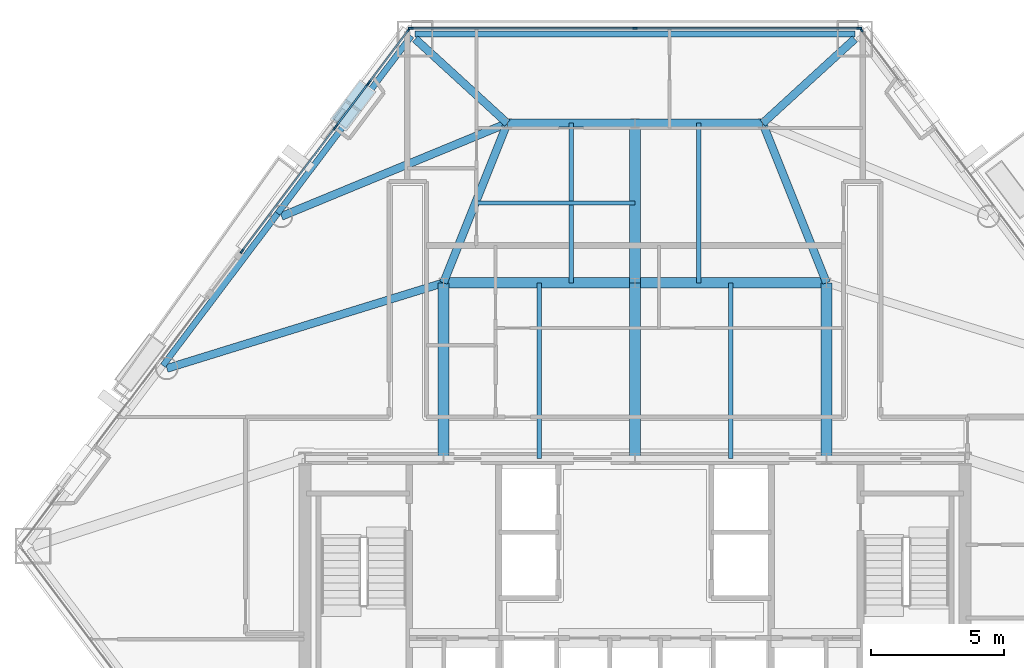
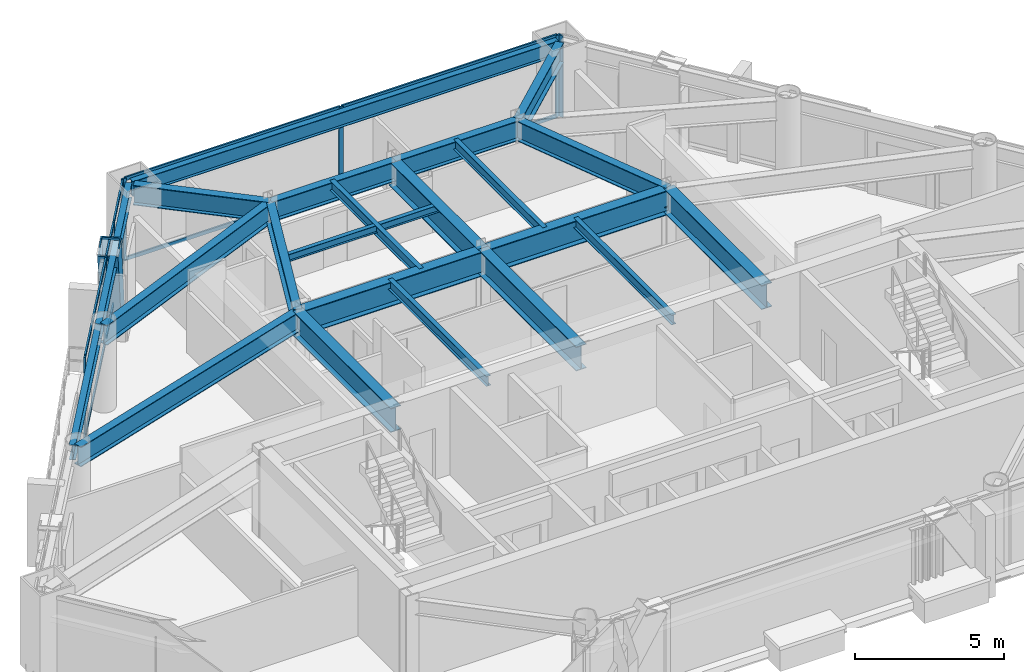
# One storey, part 3 of 11: 22 beams, 21 members, 5 elements without a shape of their own.
"""IFC4 building model written with IfcOpenShell, lengths in metres."""

from ifc_helpers import new_model, si_unit, direction, frame, origin, origin_2d, place, context, subcontext, project, spatial, rectangle, hollow_rectangle, i_section, extrude, material, layer, layer_set, material_profile, profile_set, type_object, element, aggregate, save


model = new_model("IFC4")

# Units and contexts
model_context = context("Model", 3, precision=1e-05, world=origin(), true_north=direction((0.0, 1.0)))
body_context = subcontext(model_context, "Body", "Model", "MODEL_VIEW")
ifc_project = project(units=[si_unit("LENGTHUNIT", "METRE"), si_unit("AREAUNIT", "SQUARE_METRE"), si_unit("VOLUMEUNIT", "CUBIC_METRE"), si_unit("PLANEANGLEUNIT", "RADIAN"), si_unit("MASSUNIT", "GRAM", prefix="KILO")], contexts=[model_context])

# Site, building, storey
site_placement = place(None, origin())
site = spatial("IfcSite", under=ifc_project, at=site_placement, CompositionType="ELEMENT")
building_placement = place(site_placement, origin())
building = spatial("IfcBuilding", under=site, at=building_placement, Name="Talgorran Terracotta Tower", CompositionType="ELEMENT")
storey_placement = place(building_placement, frame((0.0, 0.0, 27.89990234375)))
storey = spatial("IfcBuildingStorey", under=building, at=storey_placement, Name="L06", CompositionType="ELEMENT", Elevation=27.89990234375)

# Beams
ifc_material_1 = material(Name="Steel Grade 350 (350L0)", Category="steel")
ifc_material_profile_1 = material_profile(ifc_material_1, i_section(OverallWidth=0.39990234375, OverallDepth=1.0, WebThickness=0.01611328125, FlangeThickness=0.031005859375, at=origin_2d()), Name="1000WB296")
ifc_profile_set_1 = profile_set([ifc_material_profile_1], Name="Steel Grade 350 (350L0)")
beam_type_1 = type_object("IfcBeamType", Name="BM_1000WB296", PredefinedType="BEAM", material=ifc_profile_set_1)
for number, where, z_axis, x_axis, name in (
    (1, (-7.199951171875, -4.199951171875, 2.85009765625), (0.0, 1.0, 0.0), (-1.0, 0.0, 0.0), "L06 Floor Girder G01"),
    (2, (0.0, -4.199951171875, 2.85009765625), (0.0, 1.0, 0.0), (-1.0, 0.0, 0.0), "L06 Floor Girder G02"),
    (3, (7.199951171875, -4.199951171875, 2.85009765625), (0.0, 1.0, 0.0), (-1.0, 0.0, 0.0), "L06 Floor Girder G03"),
):
    element("IfcBeam", number, at=place(storey_placement, frame(where, z_axis=z_axis, x_axis=x_axis)), inside=storey, type_object=beam_type_1, Name=name, PredefinedType="BEAM", context=body_context, shape_type="SweptSolid", body=[
        extrude(i_section(OverallWidth=0.39990234375, OverallDepth=1.0, WebThickness=0.01611328125, FlangeThickness=0.031005859375, at=origin_2d()), origin(), (0.0, 0.0, 1.0), 6.599853515625),
    ])
for number, where, z_axis, x_axis, name in (
    (4, (-7.199951171875, 2.39990234375, 2.85009765625), (1.0, 0.0, 0.0), (0.0, 1.0, 0.0), "L06 Floor Girder G04"),
    (5, (0.0, 2.39990234375, 2.85009765625), (1.0, 0.0, 0.0), (0.0, 1.0, 0.0), "L06 Floor Girder G05"),
):
    element("IfcBeam", number, at=place(storey_placement, frame(where, z_axis=z_axis, x_axis=x_axis)), inside=storey, type_object=beam_type_1, Name=name, PredefinedType="BEAM", context=body_context, shape_type="SweptSolid", body=[
        extrude(i_section(OverallWidth=0.39990234375, OverallDepth=1.0, WebThickness=0.01611328125, FlangeThickness=0.031005859375, at=origin_2d()), origin(), (0.0, 0.0, 1.0), 7.199951171875),
    ])
beam_1_placement = place(storey_placement, frame((0.0, 2.39990234375, 2.85009765625), z_axis=(0.0, 1.0, 0.0), x_axis=(-1.0, 0.0, 0.0)))
element("IfcBeam", 6, at=beam_1_placement, inside=storey, type_object=beam_type_1, Name="L06 Floor Girder G09", PredefinedType="BEAM", context=body_context, shape_type="SweptSolid", body=[
    extrude(i_section(OverallWidth=0.39990234375, OverallDepth=1.0, WebThickness=0.01611328125, FlangeThickness=0.031005859375, at=origin_2d()), origin(), (0.0, 0.0, 1.0), 6.0),
])
ifc_material_2 = material(Name="Steel S355 (300PLUS)", Category="steel")
ifc_material_profile_2 = material_profile(ifc_material_2, i_section(OverallWidth=0.300048828125, OverallDepth=0.81591796875, WebThickness=0.013916015625, FlangeThickness=0.028076171875, at=origin_2d()), Name="800WB192")
ifc_profile_set_2 = profile_set([ifc_material_profile_2], Name="Steel S355 (300PLUS)")
beam_type_2 = type_object("IfcBeamType", Name="BM_800WB192", PredefinedType="BEAM", material=ifc_profile_set_2)
beam_2_placement = place(storey_placement, frame((-7.199951171875, 2.39990234375, 2.942138671875), z_axis=(-0.955282572472, -0.295694448259, 0.0), x_axis=(0.295694448259, -0.955282572472, 0.0)))
element("IfcBeam", 7, at=beam_2_placement, inside=storey, type_object=beam_type_2, Name="L06 Floor Girder G06", PredefinedType="BEAM", context=body_context, shape_type="SweptSolid", body=[
    extrude(i_section(OverallWidth=0.300048828125, OverallDepth=0.81591796875, WebThickness=0.013916015625, FlangeThickness=0.028076171875, at=origin_2d()), origin(), (0.0, 0.0, 1.0), 10.88623046875),
])
for number, where, z_axis, x_axis, name in (
    (8, (-7.199951171875, 2.39990234375, 2.942138671875), (0.371377648723, 0.928481901832, 0.0), (-0.928481901832, 0.371377648723, 0.0), "L06 Floor Girder G08"),
    (9, (7.199951171875, 2.39990234375, 2.942138671875), (-0.371377648723, 0.928481901832, 0.0), (-0.928481901832, -0.371377648723, 0.0), "L06 Floor Girder G10"),
):
    element("IfcBeam", number, at=place(storey_placement, frame(where, z_axis=z_axis, x_axis=x_axis)), inside=storey, type_object=beam_type_2, Name=name, PredefinedType="BEAM", context=body_context, shape_type="SweptSolid", body=[
        extrude(i_section(OverallWidth=0.300048828125, OverallDepth=0.81591796875, WebThickness=0.013916015625, FlangeThickness=0.028076171875, at=origin_2d()), origin(), (0.0, 0.0, 1.0), 6.462158203125),
    ])
for number, where, z_axis, x_axis, name in (
    (10, (-4.800048828125, 8.39990234375, 2.942138671875), (1.0, 0.0, 0.0), (0.0, 1.0, 0.0), "L06 Floor Girder G11"),
    (11, (0.0, 8.39990234375, 2.942138671875), (1.0, 0.0, 0.0), (0.0, 1.0, 0.0), "L06 Floor Girder G12"),
):
    element("IfcBeam", number, at=place(storey_placement, frame(where, z_axis=z_axis, x_axis=x_axis)), inside=storey, type_object=beam_type_2, Name=name, PredefinedType="BEAM", context=body_context, shape_type="SweptSolid", body=[
        extrude(i_section(OverallWidth=0.300048828125, OverallDepth=0.81591796875, WebThickness=0.013916015625, FlangeThickness=0.028076171875, at=origin_2d()), origin(), (0.0, 0.0, 1.0), 4.800048828125),
    ])
beam_3_placement = place(storey_placement, frame((-4.800048828125, 8.39990234375, 2.942138671875), z_axis=(-0.924495756371, -0.381192335249, 0.0), x_axis=(0.381192335249, -0.924495756371, 0.0)))
element("IfcBeam", 12, at=beam_3_placement, inside=storey, type_object=beam_type_2, Name="L06 Floor Girder G13", PredefinedType="BEAM", context=body_context, shape_type="SweptSolid", body=[
    extrude(i_section(OverallWidth=0.300048828125, OverallDepth=0.81591796875, WebThickness=0.013916015625, FlangeThickness=0.028076171875, at=origin_2d()), origin(), (0.0, 0.0, 1.0), 9.18359375),
])
for number, where, z_axis, x_axis, name in (
    (13, (-4.800048828125, 8.39990234375, 2.942138671875), (-0.737592142267, 0.675246496967, 0.0), (-0.675246496967, -0.737592142267, 0.0), "L06 Floor Girder G15"),
    (14, (4.800048828125, 8.39990234375, 2.942138671875), (0.737592142267, 0.675246496967, 0.0), (-0.675246496967, 0.737592142267, 0.0), "L06 Floor Girder G16"),
):
    element("IfcBeam", number, at=place(storey_placement, frame(where, z_axis=z_axis, x_axis=x_axis)), inside=storey, type_object=beam_type_2, Name=name, PredefinedType="BEAM", context=body_context, shape_type="SweptSolid", body=[
        extrude(i_section(OverallWidth=0.300048828125, OverallDepth=0.81591796875, WebThickness=0.013916015625, FlangeThickness=0.028076171875, at=origin_2d()), origin(), (0.0, 0.0, 1.0), 4.695068359375),
    ])
ifc_material_profile_3 = material_profile(ifc_material_2, i_section(OverallWidth=0.177734375, OverallDepth=0.406494140625, WebThickness=0.0078125, FlangeThickness=0.0126953125, at=origin_2d()), Name="410UB59.7")
ifc_profile_set_3 = profile_set([ifc_material_profile_3], Name="Steel S355 (300PLUS)")
beam_type_3 = type_object("IfcBeamType", Name="BM_JS_410UB60", PredefinedType="JOIST", material=ifc_profile_set_3)
for number, where, z_axis, x_axis, name in (
    (15, (-3.60009765625, -4.199951171875, 3.14697265625), (0.0, 1.0, 0.0), (-1.0, 0.0, 0.0), "L06 Secondary Joist J01"),
    (16, (3.60009765625, -4.199951171875, 3.14697265625), (0.0, 1.0, 0.0), (-1.0, 0.0, 0.0), "L06 Secondary Joist J02"),
):
    element("IfcBeam", number, at=place(storey_placement, frame(where, z_axis=z_axis, x_axis=x_axis)), inside=storey, type_object=beam_type_3, Name=name, PredefinedType="JOIST", context=body_context, shape_type="SweptSolid", body=[
        extrude(i_section(OverallWidth=0.177734375, OverallDepth=0.406494140625, WebThickness=0.0078125, FlangeThickness=0.0126953125, at=origin_2d()), origin(), (0.0, 0.0, 1.0), 6.599853515625),
    ])
for number, where, z_axis, x_axis, name in (
    (17, (-2.39990234375, 2.39990234375, 3.14697265625), (0.0, 1.0, 0.0), (-1.0, 0.0, 0.0), "L06 Secondary Joist J03"),
    (18, (2.39990234375, 2.39990234375, 3.14697265625), (0.0, 1.0, 0.0), (-1.0, 0.0, 0.0), "L06 Secondary Joist J04"),
):
    element("IfcBeam", number, at=place(storey_placement, frame(where, z_axis=z_axis, x_axis=x_axis)), inside=storey, type_object=beam_type_3, Name=name, PredefinedType="JOIST", context=body_context, shape_type="SweptSolid", body=[
        extrude(i_section(OverallWidth=0.177734375, OverallDepth=0.406494140625, WebThickness=0.0078125, FlangeThickness=0.0126953125, at=origin_2d()), origin(), (0.0, 0.0, 1.0), 6.0),
    ])
ifc_material_profile_4 = material_profile(ifc_material_2, i_section(OverallWidth=0.1650390625, OverallDepth=0.303955078125, WebThickness=0.006103515625, FlangeThickness=0.01025390625, at=origin_2d()), Name="310UB40.4")
ifc_profile_set_4 = profile_set([ifc_material_profile_4], Name="Steel S355 (300PLUS)")
beam_type_4 = type_object("IfcBeamType", Name="BM_OL_310UB40", PredefinedType="BEAM", material=ifc_profile_set_4)
beam_4_placement = place(storey_placement, frame((-6.0, 5.39990234375, 3.197998046875), z_axis=(1.0, 0.0, 0.0), x_axis=(0.0, 1.0, 0.0)))
element("IfcBeam", 19, at=beam_4_placement, inside=storey, type_object=beam_type_4, Name="L06 Balcony Back-Span Tie Beam OL1", PredefinedType="BEAM", context=body_context, shape_type="SweptSolid", body=[
    extrude(i_section(OverallWidth=0.1650390625, OverallDepth=0.303955078125, WebThickness=0.006103515625, FlangeThickness=0.01025390625, at=origin_2d()), origin(), (0.0, 0.0, 1.0), 6.0),
])
ifc_material_profile_5 = material_profile(ifc_material_2, i_section(OverallWidth=0.22900390625, OverallDepth=0.611572265625, WebThickness=0.011962890625, FlangeThickness=0.01953125, at=origin_2d()), Name="610UB125")
ifc_profile_set_5 = profile_set([ifc_material_profile_5], Name="Steel S355 (300PLUS)")
beam_type_5 = type_object("IfcBeamType", Name="BM_SP_610UB125", PredefinedType="SPANDREL", material=ifc_profile_set_5)
beam_5_placement = place(storey_placement, frame((8.26318359375, 11.75048828125, 3.044189453125), z_axis=(-1.0, 0.0, 0.0), x_axis=(0.0, -1.0, 0.0)))
element("IfcBeam", 20, at=beam_5_placement, inside=storey, type_object=beam_type_5, Name="L06 Perimeter Spandrel Beam MC5-MC6", PredefinedType="SPANDREL", context=body_context, shape_type="SweptSolid", body=[
    extrude(i_section(OverallWidth=0.22900390625, OverallDepth=0.611572265625, WebThickness=0.011962890625, FlangeThickness=0.01953125, at=origin_2d()), origin(), (0.0, 0.0, 1.0), 16.5263671875),
])
beam_6_placement = place(storey_placement, frame((-8.406982421875, 11.6787109375, 3.044189453125), z_axis=(-0.601803503312, -0.798644190739, 0.0), x_axis=(0.798644190739, -0.601803503312, 0.0)))
element("IfcBeam", 21, at=beam_6_placement, inside=storey, type_object=beam_type_5, Name="L06 Perimeter Spandrel Beam MC6-FC5", PredefinedType="SPANDREL", context=body_context, shape_type="SweptSolid", body=[
    extrude(i_section(OverallWidth=0.22900390625, OverallDepth=0.611572265625, WebThickness=0.011962890625, FlangeThickness=0.01953125, at=origin_2d()), origin(), (0.0, 0.0, 1.0), 8.353271484375),
])
beam_7_placement = place(storey_placement, frame((-13.43408203125, 5.00732421875, 3.044189453125), z_axis=(-0.601837001902, -0.798618947397, 0.0), x_axis=(0.798618947397, -0.601837001902, 0.0)))
element("IfcBeam", 22, at=beam_7_placement, inside=storey, type_object=beam_type_5, Name="L06 Perimeter Spandrel Beam FC5-FC6", PredefinedType="SPANDREL", context=body_context, shape_type="SweptSolid", body=[
    extrude(i_section(OverallWidth=0.22900390625, OverallDepth=0.611572265625, WebThickness=0.011962890625, FlangeThickness=0.01953125, at=origin_2d()), origin(), (0.0, 0.0, 1.0), 7.159912109375),
])

# Member
ifc_material_profile_6 = material_profile(ifc_material_1, hollow_rectangle(XDim=0.699951171875, YDim=0.89990234375, WallThickness=0.050048828125, at=origin_2d()), Name="WBOX900X700X50")
ifc_profile_set_6 = profile_set([ifc_material_profile_6], Name="Steel Grade 350 (350L0)")
member_type_1 = type_object("IfcMemberType", Name="MB_MEGA_900", PredefinedType="BRACE", material=ifc_profile_set_6)
member_1_placement = place(storey_placement, frame((-10.33056640625, 9.425048828125, -0.02490234375), z_axis=(-0.153970521354, -0.204299028109, 0.966723841471), x_axis=(0.79859763006, -0.601865288302, 0.0)))
element("IfcMember", 23, at=member_1_placement, inside=storey, type_object=member_type_1, Name="L06 Exterior Face Mega-Brace MB-1 (NWU)", PredefinedType="BRACE", context=body_context, shape_type="SweptSolid", body=[
    extrude(hollow_rectangle(XDim=0.699951171875, YDim=0.89990234375, WallThickness=0.050048828125, at=origin_2d()), origin(), (0.0, 0.0, 1.0), 3.516845703125),
])

# Curtain wall, member
ifc_material_3 = material(Name="Unitised Low-E Double Glazing", Category="glass")
ifc_layer = layer(ifc_material_3, 0.199951171875, Name="CW_SYS2_RES_LOW")
ifc_layer_set = layer_set([ifc_layer], Name="Unitised Low-E Double Glazing")
curtain_wall_type = type_object("IfcCurtainWallType", Name="CW_SYS2_RES_LOW", PredefinedType="NOTDEFINED", material=ifc_layer_set)
curtain_wall_1_placement = place(storey_placement, origin())
curtain_wall_1 = element("IfcCurtainWall", 24, at=curtain_wall_1_placement, inside=storey, type_object=curtain_wall_type, Name="CW-L06-F41C", PredefinedType="NOTDEFINED")
ifc_material_4 = material(Name="Architectural Aluminium 6063-T6", Category="aluminium")
ifc_material_profile_7 = material_profile(ifc_material_4, rectangle(XDim=0.06494140625, YDim=0.18505859375, at=origin_2d()), Name="CWM65X185")
ifc_profile_set_7 = profile_set([ifc_material_profile_7], Name="Architectural Aluminium 6063-T6")
member_type_2 = type_object("IfcMemberType", Name="MUL_65X185", PredefinedType="MULLION", material=ifc_profile_set_7)
member_2_placement = place(storey_placement, frame((8.50634765625, 11.91259765625, 0.0), z_axis=(0.0, 0.0, 1.0), x_axis=(-0.798644531105, -0.601803051618, 0.0)))
member_2 = element("IfcMember", 25, at=member_2_placement, type_object=member_type_2, Name="CW-L06-41C mullion 2", PredefinedType="MULLION", context=body_context, shape_type="SweptSolid", body=[
    extrude(rectangle(XDim=0.06494140625, YDim=0.18505859375, at=origin_2d()), origin(), (0.0, 0.0, 1.0), 3.35009765625),
])
aggregate(curtain_wall_1, [member_2])

# Curtain wall, members
curtain_wall_2_placement = place(storey_placement, origin())
curtain_wall_2 = element("IfcCurtainWall", 26, at=curtain_wall_2_placement, inside=storey, type_object=curtain_wall_type, Name="CW-L06-F4", PredefinedType="NOTDEFINED")
member_3_placement = place(storey_placement, frame((8.43017578125, 11.970458984375, 0.0), z_axis=(0.0, 0.0, 1.0), x_axis=(0.0, -1.0, 0.0)))
member_3 = element("IfcMember", 27, at=member_3_placement, type_object=member_type_2, Name="CW-L06-4 mullion 1", PredefinedType="MULLION", context=body_context, shape_type="SweptSolid", body=[
    extrude(rectangle(XDim=0.06494140625, YDim=0.18505859375, at=origin_2d()), origin(), (0.0, 0.0, 1.0), 3.35009765625),
])
member_4_placement = place(storey_placement, frame((0.0, 11.970458984375, 0.0), z_axis=(0.0, 0.0, 1.0), x_axis=(0.0, -1.0, 0.0)))
member_4 = element("IfcMember", 28, at=member_4_placement, type_object=member_type_2, Name="CW-L06-4 mullion 2", PredefinedType="MULLION", context=body_context, shape_type="SweptSolid", body=[
    extrude(rectangle(XDim=0.06494140625, YDim=0.18505859375, at=origin_2d()), origin(), (0.0, 0.0, 1.0), 3.35009765625),
])
member_5_placement = place(storey_placement, frame((-8.43017578125, 11.970458984375, 0.0), z_axis=(0.0, 0.0, 1.0), x_axis=(0.0, -1.0, 0.0)))
member_5 = element("IfcMember", 29, at=member_5_placement, type_object=member_type_2, Name="CW-L06-4 mullion 3", PredefinedType="MULLION", context=body_context, shape_type="SweptSolid", body=[
    extrude(rectangle(XDim=0.06494140625, YDim=0.18505859375, at=origin_2d()), origin(), (0.0, 0.0, 1.0), 3.35009765625),
])

curtain_wall_3_placement = place(storey_placement, origin())
curtain_wall_3 = element("IfcCurtainWall", 30, at=curtain_wall_3_placement, inside=storey, type_object=curtain_wall_type, Name="CW-L06-F60", PredefinedType="NOTDEFINED")
member_6_placement = place(storey_placement, frame((-8.50634765625, 11.91259765625, 0.0), z_axis=(0.0, 0.0, 1.0), x_axis=(0.798644531105, -0.601803051618, 0.0)))
member_6 = element("IfcMember", 31, at=member_6_placement, type_object=member_type_2, Name="CW-L06-60 mullion 1", PredefinedType="MULLION", context=body_context, shape_type="SweptSolid", body=[
    extrude(rectangle(XDim=0.06494140625, YDim=0.18505859375, at=origin_2d()), origin(), (0.0, 0.0, 1.0), 3.35009765625),
])
member_7_placement = place(storey_placement, frame((-9.98779296875, 9.9462890625, 0.0), z_axis=(0.0, 0.0, 1.0), x_axis=(0.798644531105, -0.601803051618, 0.0)))
member_7 = element("IfcMember", 32, at=member_7_placement, type_object=member_type_2, Name="CW-L06-60 mullion 2", PredefinedType="MULLION", context=body_context, shape_type="SweptSolid", body=[
    extrude(rectangle(XDim=0.06494140625, YDim=0.18505859375, at=origin_2d()), origin(), (0.0, 0.0, 1.0), 3.35009765625),
])

curtain_wall_4_placement = place(storey_placement, origin())
curtain_wall_4 = element("IfcCurtainWall", 33, at=curtain_wall_4_placement, inside=storey, type_object=curtain_wall_type, Name="CW-L06-F60B", PredefinedType="NOTDEFINED")
member_8_placement = place(storey_placement, frame((-10.032958984375, 9.886474609375, 0.0), z_axis=(0.0, 0.0, 1.0), x_axis=(0.798634672916, -0.601816134061, 0.0)))
member_8 = element("IfcMember", 34, at=member_8_placement, type_object=member_type_2, Name="CW-L06-60B mullion 1", PredefinedType="MULLION", context=body_context, shape_type="SweptSolid", body=[
    extrude(rectangle(XDim=0.06494140625, YDim=0.18505859375, at=origin_2d()), origin(), (0.0, 0.0, 1.0), 3.35009765625),
])
member_9_placement = place(storey_placement, frame((-11.2333984375, 8.29345703125, 0.0), z_axis=(0.0, 0.0, 1.0), x_axis=(0.798634672916, -0.601816134061, 0.0)))
member_9 = element("IfcMember", 35, at=member_9_placement, type_object=member_type_2, Name="CW-L06-60B mullion 2", PredefinedType="MULLION", context=body_context, shape_type="SweptSolid", body=[
    extrude(rectangle(XDim=0.06494140625, YDim=0.18505859375, at=origin_2d()), origin(), (0.0, 0.0, 1.0), 3.35009765625),
])

curtain_wall_5_placement = place(storey_placement, origin())
curtain_wall_5 = element("IfcCurtainWall", 36, at=curtain_wall_5_placement, inside=storey, type_object=curtain_wall_type, Name="CW-L06-F60C", PredefinedType="NOTDEFINED")
member_10_placement = place(storey_placement, frame((-11.278564453125, 8.2333984375, 0.0), z_axis=(0.0, 0.0, 1.0), x_axis=(0.798645381442, -0.601801923146, 0.0)))
member_10 = element("IfcMember", 37, at=member_10_placement, type_object=member_type_2, Name="CW-L06-60C mullion 1", PredefinedType="MULLION", context=body_context, shape_type="SweptSolid", body=[
    extrude(rectangle(XDim=0.06494140625, YDim=0.18505859375, at=origin_2d()), origin(), (0.0, 0.0, 1.0), 3.35009765625),
])
member_11_placement = place(storey_placement, frame((-14.77392578125, 3.5947265625, 0.0), z_axis=(0.0, 0.0, 1.0), x_axis=(0.798645381442, -0.601801923146, 0.0)))
member_11 = element("IfcMember", 38, at=member_11_placement, type_object=member_type_2, Name="CW-L06-60C mullion 2", PredefinedType="MULLION", context=body_context, shape_type="SweptSolid", body=[
    extrude(rectangle(XDim=0.06494140625, YDim=0.18505859375, at=origin_2d()), origin(), (0.0, 0.0, 1.0), 3.35009765625),
])

# Member
ifc_material_profile_8 = material_profile(ifc_material_4, rectangle(XDim=0.06494140625, YDim=0.14990234375, at=origin_2d()), Name="CWT65X150")
ifc_profile_set_8 = profile_set([ifc_material_profile_8], Name="Architectural Aluminium 6063-T6")
member_type_3 = type_object("IfcMemberType", Name="TRN_65X150", PredefinedType="USERDEFINED", material=ifc_profile_set_8)
member_12_placement = place(storey_placement, frame((8.397705078125, 11.970458984375, 0.03271484375), z_axis=(-1.0, 0.0, 0.0), x_axis=(0.0, -1.0, 0.0)))
member_12 = element("IfcMember", 39, at=member_12_placement, type_object=member_type_3, Name="CW-L06-4 transom 1.1", ObjectType="TRANSOM", PredefinedType="USERDEFINED", context=body_context, shape_type="SweptSolid", body=[
    extrude(rectangle(XDim=0.06494140625, YDim=0.14990234375, at=origin_2d()), origin(), (0.0, 0.0, 1.0), 8.365234375),
])

member_13_placement = place(storey_placement, frame((8.397705078125, 11.970458984375, 3.317626953125), z_axis=(-1.0, 0.0, 0.0), x_axis=(0.0, -1.0, 0.0)))
member_13 = element("IfcMember", 40, at=member_13_placement, type_object=member_type_3, Name="CW-L06-4 transom 1.2", ObjectType="TRANSOM", PredefinedType="USERDEFINED", context=body_context, shape_type="SweptSolid", body=[
    extrude(rectangle(XDim=0.06494140625, YDim=0.14990234375, at=origin_2d()), origin(), (0.0, 0.0, 1.0), 8.365234375),
])

member_14_placement = place(storey_placement, frame((-0.032470703125, 11.970458984375, 0.03271484375), z_axis=(-1.0, 0.0, 0.0), x_axis=(0.0, -1.0, 0.0)))
member_14 = element("IfcMember", 41, at=member_14_placement, type_object=member_type_3, Name="CW-L06-4 transom 2.1", ObjectType="TRANSOM", PredefinedType="USERDEFINED", context=body_context, shape_type="SweptSolid", body=[
    extrude(rectangle(XDim=0.06494140625, YDim=0.14990234375, at=origin_2d()), origin(), (0.0, 0.0, 1.0), 8.365234375),
])

member_15_placement = place(storey_placement, frame((-0.032470703125, 11.970458984375, 3.317626953125), z_axis=(-1.0, 0.0, 0.0), x_axis=(0.0, -1.0, 0.0)))
member_15 = element("IfcMember", 42, at=member_15_placement, type_object=member_type_3, Name="CW-L06-4 transom 2.2", ObjectType="TRANSOM", PredefinedType="USERDEFINED", context=body_context, shape_type="SweptSolid", body=[
    extrude(rectangle(XDim=0.06494140625, YDim=0.14990234375, at=origin_2d()), origin(), (0.0, 0.0, 1.0), 8.365234375),
])

aggregate(curtain_wall_2, [member_3, member_4, member_5, member_12, member_13, member_14, member_15])

member_16_placement = place(storey_placement, frame((-8.52587890625, 11.886474609375, 0.03271484375), z_axis=(-0.601823875366, -0.798628839349, 0.0), x_axis=(0.798628839349, -0.601823875366, 0.0)))
member_16 = element("IfcMember", 43, at=member_16_placement, type_object=member_type_3, Name="CW-L06-60 transom 1.1", ObjectType="TRANSOM", PredefinedType="USERDEFINED", context=body_context, shape_type="SweptSolid", body=[
    extrude(rectangle(XDim=0.06494140625, YDim=0.14990234375, at=origin_2d()), origin(), (0.0, 0.0, 1.0), 2.396728515625),
])

member_17_placement = place(storey_placement, frame((-8.52587890625, 11.886474609375, 3.317626953125), z_axis=(-0.601823875366, -0.798628839349, 0.0), x_axis=(0.798628839349, -0.601823875366, 0.0)))
member_17 = element("IfcMember", 44, at=member_17_placement, type_object=member_type_3, Name="CW-L06-60 transom 1.2", ObjectType="TRANSOM", PredefinedType="USERDEFINED", context=body_context, shape_type="SweptSolid", body=[
    extrude(rectangle(XDim=0.06494140625, YDim=0.14990234375, at=origin_2d()), origin(), (0.0, 0.0, 1.0), 2.396728515625),
])

aggregate(curtain_wall_3, [member_6, member_7, member_16, member_17])

member_18_placement = place(storey_placement, frame((-10.052490234375, 9.860595703125, 0.03271484375), z_axis=(-0.601799956866, -0.798646863085, 0.0), x_axis=(0.798646863085, -0.601799956866, 0.0)))
member_18 = element("IfcMember", 45, at=member_18_placement, type_object=member_type_3, Name="CW-L06-60B transom 1.1", ObjectType="TRANSOM", PredefinedType="USERDEFINED", context=body_context, shape_type="SweptSolid", body=[
    extrude(rectangle(XDim=0.06494140625, YDim=0.14990234375, at=origin_2d()), origin(), (0.0, 0.0, 1.0), 1.929931640625),
])

member_19_placement = place(storey_placement, frame((-10.052490234375, 9.860595703125, 3.317626953125), z_axis=(-0.601799956866, -0.798646863085, 0.0), x_axis=(0.798646863085, -0.601799956866, 0.0)))
member_19 = element("IfcMember", 46, at=member_19_placement, type_object=member_type_3, Name="CW-L06-60B transom 1.2", ObjectType="TRANSOM", PredefinedType="USERDEFINED", context=body_context, shape_type="SweptSolid", body=[
    extrude(rectangle(XDim=0.06494140625, YDim=0.14990234375, at=origin_2d()), origin(), (0.0, 0.0, 1.0), 1.929931640625),
])

aggregate(curtain_wall_4, [member_8, member_9, member_18, member_19])

member_20_placement = place(storey_placement, frame((-11.298095703125, 8.20751953125, 0.03271484375), z_axis=(-0.601794051398, -0.798651312966, 0.0), x_axis=(0.798651312966, -0.601794051398, 0.0)))
member_20 = element("IfcMember", 47, at=member_20_placement, type_object=member_type_3, Name="CW-L06-60C transom 1.1", ObjectType="TRANSOM", PredefinedType="USERDEFINED", context=body_context, shape_type="SweptSolid", body=[
    extrude(rectangle(XDim=0.06494140625, YDim=0.14990234375, at=origin_2d()), origin(), (0.0, 0.0, 1.0), 5.743408203125),
])

member_21_placement = place(storey_placement, frame((-11.298095703125, 8.20751953125, 3.317626953125), z_axis=(-0.601794051398, -0.798651312966, 0.0), x_axis=(0.798651312966, -0.601794051398, 0.0)))
member_21 = element("IfcMember", 48, at=member_21_placement, type_object=member_type_3, Name="CW-L06-60C transom 1.2", ObjectType="TRANSOM", PredefinedType="USERDEFINED", context=body_context, shape_type="SweptSolid", body=[
    extrude(rectangle(XDim=0.06494140625, YDim=0.14990234375, at=origin_2d()), origin(), (0.0, 0.0, 1.0), 5.743408203125),
])

aggregate(curtain_wall_5, [member_10, member_11, member_20, member_21])

save(model, "model.ifc")
